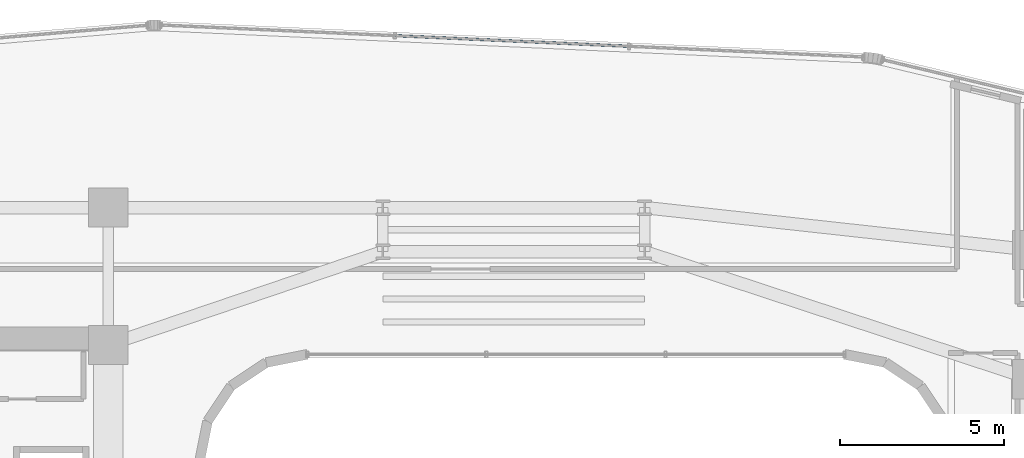
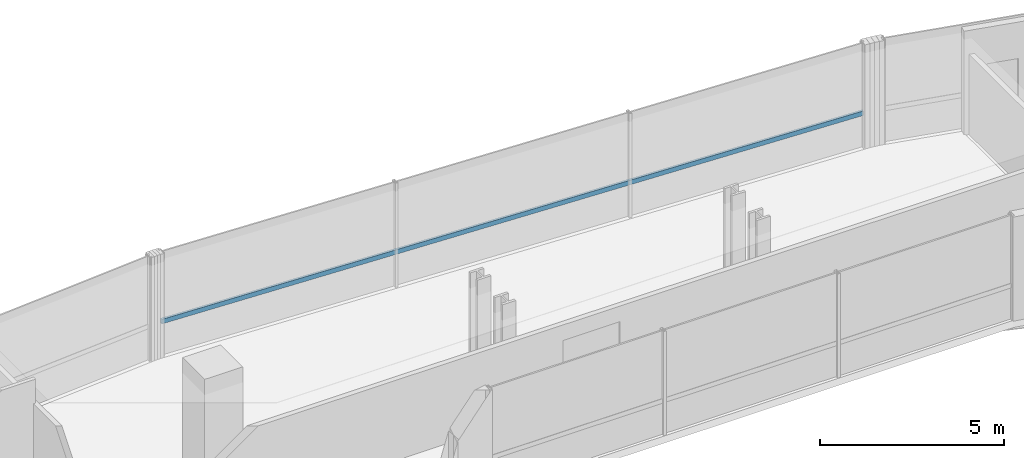
# One storey, part 22 of 35: 1 member, 1 element without a shape of its own.
"""IFC4 building model written with IfcOpenShell, lengths in metres."""

import ifcopenshell
import ifcopenshell.guid

model = None  # the IFC model being written
_history = None  # IfcOwnerHistory: only IFC2X3 demands one
_inside = {}  # id of a spatial element -> (the spatial element, [elements in it])
_under = {}  # id of a project, library or spatial element -> (it, [spatial elements below it])
_declared = {}  # id of a project -> (the project, [libraries it declares])
_typed = {}  # id of a type object -> (the type object, [elements of that type])
_made_of = {}  # id of a material, layer set ... -> (it, [elements and type objects made of it])


def new_model(schema):
    """Start an empty IFC model of exactly this schema.

    Asked for "IFC4X3", IfcOpenShell would pick the latest addendum, in which some entities
    have other attributes; the version numbers below select the first issue.
    IFC2X3 requires an IfcOwnerHistory on every rooted entity: one is made here for all.
    """
    global model, _history
    if schema == "IFC4X3":
        model = ifcopenshell.file(schema_version=(4, 3, 0, 0))
    else:
        model = ifcopenshell.file(schema=schema)
    _inside.clear()
    _under.clear()
    _declared.clear()
    _typed.clear()
    _made_of.clear()
    _history = None
    if model.schema == "IFC2X3":
        org = make("IfcOrganization", Name="unknown")
        user = make(
            "IfcPersonAndOrganization",
            ThePerson=make("IfcPerson", FamilyName="unknown"),
            TheOrganization=org,
        )
        app = make(
            "IfcApplication",
            ApplicationDeveloper=org,
            Version="unknown",
            ApplicationFullName="unknown",
            ApplicationIdentifier="unknown",
        )
        _history = make(
            "IfcOwnerHistory",
            OwningUser=user,
            OwningApplication=app,
            ChangeAction="ADDED",
            CreationDate=0,
        )
    return model


def make(cls, **values):
    """One entity of the class cls with the attributes given. An attribute that is None is left unset."""
    return model.create_entity(
        cls, **{name: value for name, value in values.items() if value is not None}
    )


def rooted(cls, **values):
    """An entity with a GlobalId (a new one), such as an element, a storey or a relation."""
    return make(cls, GlobalId=ifcopenshell.guid.new(), OwnerHistory=_history, **values)


def si_unit(unit_type, name, prefix=None):
    """IfcSIUnit, for example si_unit("LENGTHUNIT", "METRE", prefix="MILLI")."""
    return make("IfcSIUnit", UnitType=unit_type, Prefix=prefix, Name=name)


def assignment(units):
    """IfcUnitAssignment: the units of a project."""
    return None if units is None else make("IfcUnitAssignment", Units=units)


def point(xyz):
    """IfcCartesianPoint."""
    return None if xyz is None else make("IfcCartesianPoint", Coordinates=xyz)


def direction(xyz):
    """IfcDirection."""
    return None if xyz is None else make("IfcDirection", DirectionRatios=xyz)


def frame(location, z_axis=None, x_axis=None):
    """IfcAxis2Placement3D, a coordinate frame: its origin and axes. An axis left out is left unset."""
    return make(
        "IfcAxis2Placement3D",
        Location=point(location),
        Axis=direction(z_axis),
        RefDirection=direction(x_axis),
    )


def frame_2d(location, x_axis=None):
    """IfcAxis2Placement2D, a coordinate frame in the plane: its origin and x axis."""
    return make(
        "IfcAxis2Placement2D", Location=point(location), RefDirection=direction(x_axis)
    )


def origin():
    """The frame at (0, 0, 0) with its axes left unset."""
    return frame((0.0, 0.0, 0.0))


def origin_2d():
    """The frame at (0, 0) in the plane with its x axis left unset."""
    return frame_2d((0.0, 0.0))


def place(relative_to, where):
    """IfcLocalPlacement: puts the frame where relative to a parent placement (None: the world)."""
    return make(
        "IfcLocalPlacement", PlacementRelTo=relative_to, RelativePlacement=where
    )


def context(
    kind, dimensions, precision=None, world=None, true_north=None, identifier=None
):
    """IfcGeometricRepresentationContext, for example the 3D "Model" context."""
    return make(
        "IfcGeometricRepresentationContext",
        ContextIdentifier=identifier,
        ContextType=kind,
        CoordinateSpaceDimension=dimensions,
        Precision=precision,
        WorldCoordinateSystem=world,
        TrueNorth=true_north,
    )


def subcontext(parent, identifier, kind, view, scale=None):
    """IfcGeometricRepresentationSubContext, for example "Body" below "Model"."""
    return make(
        "IfcGeometricRepresentationSubContext",
        ContextIdentifier=identifier,
        ContextType=kind,
        ParentContext=parent,
        TargetScale=scale,
        TargetView=view,
    )


def project(units=None, contexts=None):
    """IfcProject with its units and contexts."""
    return rooted(
        "IfcProject",
        Name="project",
        RepresentationContexts=contexts,
        UnitsInContext=assignment(units),
    )


def spatial(cls, under=None, at=None, **own):
    """A site, building, storey or space (cls), placed at a placement, below another one or the project."""
    s = rooted(cls, ObjectPlacement=at, **own)
    if under is not None:
        _under.setdefault(under.id(), (under, []))[1].append(s)
    return s


def profile(cls, at=None, kind="AREA", **sizes):
    """A parametric profile (cls). Its sizes go by their IFC names, for example OverallWidth=200.0."""
    return make(cls, ProfileType=kind, Position=at, **sizes)


def hollow_rectangle(**sizes):
    """IfcRectangleHollowProfileDef."""
    return profile("IfcRectangleHollowProfileDef", **sizes)


def extrude(swept, where, along, depth):
    """IfcExtrudedAreaSolid: the profile swept, set in the frame where, extruded along a direction by depth."""
    return make(
        "IfcExtrudedAreaSolid",
        SweptArea=swept,
        Position=where,
        ExtrudedDirection=direction(along),
        Depth=depth,
    )


def shape(context_of_items, identifier, shape_type, items):
    """IfcShapeRepresentation: the items that make up one representation, for example the "Body"."""
    return make(
        "IfcShapeRepresentation",
        ContextOfItems=context_of_items,
        RepresentationIdentifier=identifier,
        RepresentationType=shape_type,
        Items=items,
    )


def source(mapping_origin, context_of_items, identifier, shape_type, items):
    """IfcRepresentationMap: a shape defined once, which mapped items show again and again."""
    return make(
        "IfcRepresentationMap",
        MappingOrigin=mapping_origin,
        MappedRepresentation=shape(context_of_items, identifier, shape_type, items),
    )


def transform(
    local_origin,
    x_axis=None,
    y_axis=None,
    z_axis=None,
    scale=None,
    scale2=None,
    scale3=None,
    uniform=True,
):
    """IfcCartesianTransformationOperator3D, or its non-uniform kind. x_axis, y_axis, z_axis: its Axis1, 2, 3."""
    if uniform:
        return make(
            "IfcCartesianTransformationOperator3D",
            Axis1=direction(x_axis),
            Axis2=direction(y_axis),
            LocalOrigin=point(local_origin),
            Scale=scale,
            Axis3=direction(z_axis),
        )
    return make(
        "IfcCartesianTransformationOperator3DnonUniform",
        Axis1=direction(x_axis),
        Axis2=direction(y_axis),
        LocalOrigin=point(local_origin),
        Scale=scale,
        Axis3=direction(z_axis),
        Scale2=scale2,
        Scale3=scale3,
    )


def mapped(mapping_source, mapping_target):
    """IfcMappedItem: shows the shape of a source again, moved by a transform."""
    return make(
        "IfcMappedItem", MappingSource=mapping_source, MappingTarget=mapping_target
    )


def material(Name=None, Category=None):
    """IfcMaterial."""
    return make("IfcMaterial", Name=Name, Category=Category)


def material_profile(
    of_material, cross_section, Name=None, Category=None, Priority=None
):
    """IfcMaterialProfile: a cross section and its material."""
    return make(
        "IfcMaterialProfile",
        Name=Name,
        Material=of_material,
        Profile=cross_section,
        Priority=Priority,
        Category=Category,
    )


def profile_set(profiles, Name=None, composite=None):
    """IfcMaterialProfileSet."""
    return make(
        "IfcMaterialProfileSet",
        Name=Name,
        MaterialProfiles=profiles,
        CompositeProfile=composite,
    )


def made_of(thing, what):
    """Note that an element or type object is made of a material, layer set ...; save() writes the relation."""
    if what is not None:
        _made_of.setdefault(what.id(), (what, []))[1].append(thing)
    return thing


def type_object(cls, material=None, **own):
    """A type object (cls), such as IfcWallType, which elements share."""
    return made_of(rooted(cls, **own), material)


def element(
    cls,
    number,
    at=None,
    inside=None,
    cuts=None,
    type_object=None,
    material=None,
    context=None,
    identifier="Body",
    shape_type=None,
    held_by="IfcProductDefinitionShape",
    body=None,
    shapes=None,
    **own,
):
    """One element of the class cls, such as IfcWall. Its Tag is "e" and its number.

    at: its placement. inside: the storey or other place that contains it. cuts: it is an
    opening in that element (IfcRelVoidsElement). A single representation is given by context,
    identifier, shape_type and body (its items); several are given by shapes. held_by: the class
    of the entity that holds the representations. save() writes the other relations.
    """
    e = rooted(cls, Tag="e%d" % number, ObjectPlacement=at, **own)
    if body is not None:
        shapes = [shape(context, identifier, shape_type, body)]
    if shapes is not None:
        e.Representation = make(held_by, Representations=shapes)
    if inside is not None:
        _inside.setdefault(inside.id(), (inside, []))[1].append(e)
    if cuts is not None:
        rooted(
            "IfcRelVoidsElement", RelatingBuildingElement=cuts, RelatedOpeningElement=e
        )
    if type_object is not None:
        _typed.setdefault(type_object.id(), (type_object, []))[1].append(e)
    return made_of(e, material)


def aggregate(whole, parts):
    """IfcRelAggregates: a whole, such as a stair, and the parts it consists of."""
    return rooted("IfcRelAggregates", RelatingObject=whole, RelatedObjects=parts)


def save(model, path):
    """Write the relations noted so far, then the file.

    IfcRelAggregates (storeys below a building ...), IfcRelContainedInSpatialStructure (elements
    in a storey), IfcRelDefinesByType, IfcRelAssociatesMaterial and IfcRelDeclares: one each for
    every whole, place, type object, material and project.
    """
    for whole, parts in _under.values():
        aggregate(whole, parts)
    for where, things in _inside.values():
        rooted(
            "IfcRelContainedInSpatialStructure",
            RelatedElements=things,
            RelatingStructure=where,
        )
    for kind, things in _typed.values():
        rooted("IfcRelDefinesByType", RelatedObjects=things, RelatingType=kind)
    for what, things in _made_of.values():
        rooted("IfcRelAssociatesMaterial", RelatedObjects=things, RelatingMaterial=what)
    for by, libraries in _declared.values():
        rooted("IfcRelDeclares", RelatingContext=by, RelatedDefinitions=libraries)
    model.write(path)


model = new_model("IFC4")

# Units and contexts
model_context = context("Model", 3, precision=1e-05, world=origin(), true_north=direction((0.0, 1.0)))
body_context = subcontext(model_context, "Body", "Model", "MODEL_VIEW")
ifc_project = project(units=[si_unit("LENGTHUNIT", "METRE"), si_unit("AREAUNIT", "SQUARE_METRE"), si_unit("VOLUMEUNIT", "CUBIC_METRE"), si_unit("PLANEANGLEUNIT", "RADIAN"), si_unit("MASSUNIT", "GRAM", prefix="KILO")], contexts=[model_context])

# Site, building, storey
site_placement = place(None, origin())
site = spatial("IfcSite", under=ifc_project, at=site_placement, CompositionType="ELEMENT")
building_placement = place(site_placement, origin())
building = spatial("IfcBuilding", under=site, at=building_placement, Name="Valdorenza Pilgrim Sanctuary Tower", CompositionType="ELEMENT")
storey_placement = place(building_placement, frame((0.0, 0.0, 150.10009765625)))
storey = spatial("IfcBuildingStorey", under=building, at=storey_placement, Name="L38", CompositionType="ELEMENT", Elevation=150.10009765625)

# Curtain wall, member
ifc_material_1 = material(Name="Curtain-wall IGU glazing", Category="glass")
curtain_wall_type = type_object("IfcCurtainWallType", Name="CW-SYS-02", PredefinedType="NOTDEFINED", material=ifc_material_1)
curtain_wall_placement = place(storey_placement, origin())
curtain_wall = element("IfcCurtainWall", 1, at=curtain_wall_placement, inside=storey, type_object=curtain_wall_type, Name="L38 Curtain Wall CW-L38-1-11", PredefinedType="NOTDEFINED")
ifc_material_2 = material(Name="Anodised aluminium AW-6060", Category="aluminium")
ifc_material_profile = material_profile(ifc_material_2, hollow_rectangle(XDim=0.074951171875, YDim=0.14990234375, WallThickness=0.00390625, at=origin_2d()), Name="ALU-T 150x75x4")
ifc_profile_set = profile_set([ifc_material_profile], Name="Anodised aluminium AW-6060")
member_type = type_object("IfcMemberType", Name="CW-TRN-02", PredefinedType="USERDEFINED", material=ifc_profile_set)
shared_shape = source(origin(), body_context, "Body", "SweptSolid", [
    extrude(hollow_rectangle(XDim=0.074951171875, YDim=0.14990234375, WallThickness=0.00390625, at=origin_2d()), origin(), (0.0, 0.0, 1.0), 21.5078125),
])
member_placement = place(storey_placement, frame((-10.795654296875, 20.380615234375, 1.119873046875), z_axis=(0.99896865723, -0.045405086403, 0.0), x_axis=(0.045405086403, 0.99896865723, 0.0)))
member = element("IfcMember", 2, at=member_placement, type_object=member_type, Name="CW-L38-1-11 Transom 1", ObjectType="TRANSOM", PredefinedType="USERDEFINED", context=body_context, shape_type="MappedRepresentation", body=[
    mapped(shared_shape, transform((0.0, 0.0, 0.0), x_axis=(1.0, 0.0, 0.0), y_axis=(0.0, 1.0, 0.0), z_axis=(0.0, 0.0, 1.0), scale=1.0)),
])
aggregate(curtain_wall, [member])

save(model, "model.ifc")
